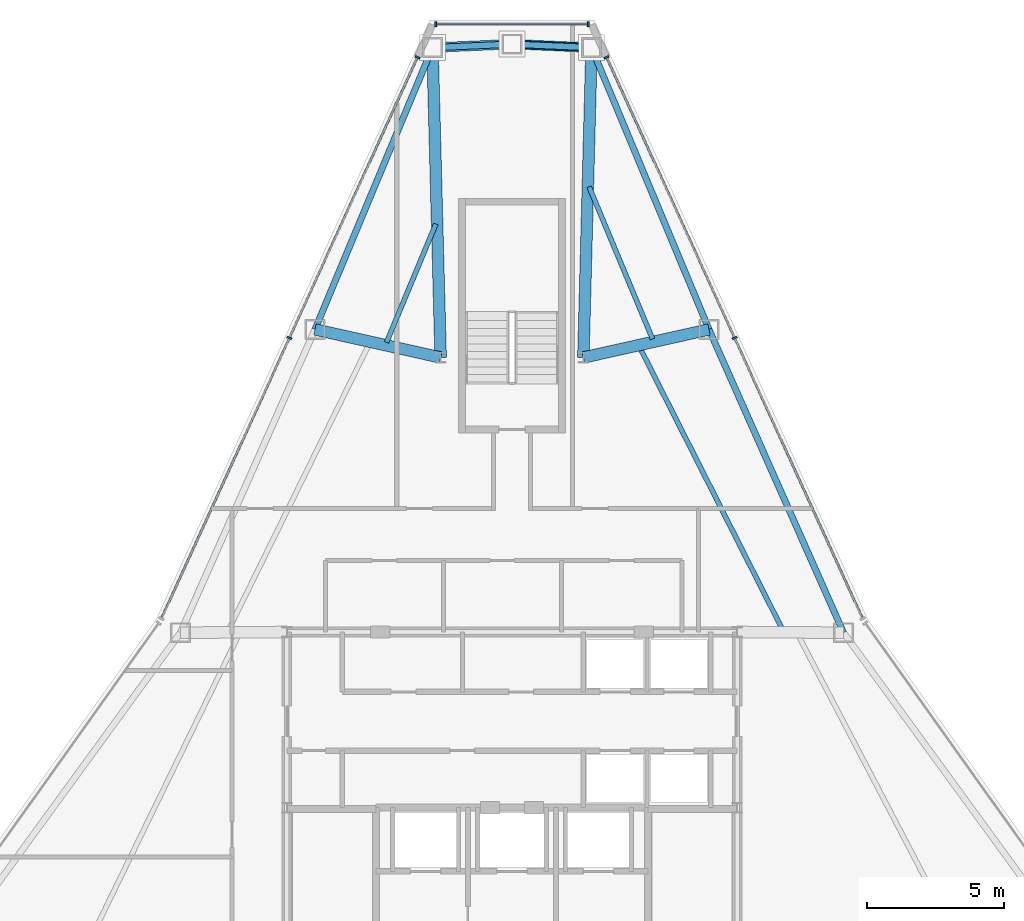
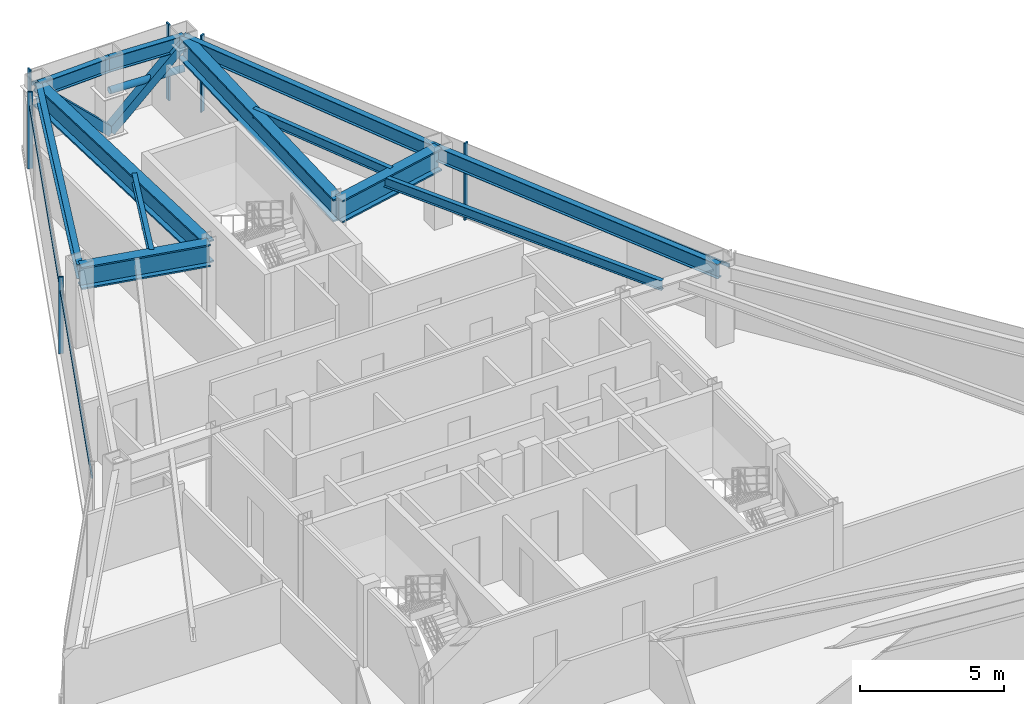
# One storey, part 7 of 12: 12 beams, 12 members, 3 elements without a shape of their own.
"""IFC4 building model written with IfcOpenShell, lengths in metres."""

from ifc_helpers import new_model, si_unit, direction, frame, origin, origin_2d, place, context, subcontext, project, spatial, rectangle, hollow_rectangle, hollow_circle, i_section, extrude, source, transform, mapped, material, layer, layer_set, material_profile, profile_set, type_object, type_shapes, element, aggregate, save


model = new_model("IFC4")

# Units and contexts
model_context = context("Model", 3, precision=1e-05, world=origin(), true_north=direction((0.0, 1.0)))
body_context = subcontext(model_context, "Body", "Model", "MODEL_VIEW")
ifc_project = project(units=[si_unit("LENGTHUNIT", "METRE"), si_unit("AREAUNIT", "SQUARE_METRE"), si_unit("VOLUMEUNIT", "CUBIC_METRE"), si_unit("PLANEANGLEUNIT", "RADIAN"), si_unit("MASSUNIT", "GRAM", prefix="KILO")], contexts=[model_context])

# Site, building, storey
site_placement = place(None, origin())
site = spatial("IfcSite", under=ifc_project, at=site_placement, CompositionType="ELEMENT")
building_placement = place(site_placement, origin())
building = spatial("IfcBuilding", under=site, at=building_placement, Name="Varakhsha Concourse Tower", CompositionType="ELEMENT")
storey_placement = place(building_placement, frame((0.0, 0.0, 243.39990234375)))
storey = spatial("IfcBuildingStorey", under=building, at=storey_placement, Name="L69", CompositionType="ELEMENT", Elevation=243.39990234375)

# Beams
ifc_material_1 = material(Name="Structural Steel ASTM A992 Grade 50", Category="steel")
ifc_material_profile_1 = material_profile(ifc_material_1, i_section(OverallWidth=0.177978515625, OverallDepth=0.406982421875, WebThickness=0.008056640625, FlangeThickness=0.012939453125, at=origin_2d()), Name="W16X40")
ifc_profile_set_1 = profile_set([ifc_material_profile_1], Name="Structural Steel ASTM A992 Grade 50")
beam_type_1 = type_object("IfcBeamType", Name="BM-JST-W16X40", PredefinedType="JOIST", material=ifc_profile_set_1)
beam_1_placement = place(storey_placement, frame((37.22705078125, 46.066162109375, 3.046630859375), z_axis=(-0.384778558787, -0.923008916911, 0.0), x_axis=(0.923008916911, -0.384778558787, 0.0)))
element("IfcBeam", 1, at=beam_1_placement, inside=storey, type_object=beam_type_1, Name="BM-TJST-L69-03", PredefinedType="JOIST", context=body_context, shape_type="SweptSolid", body=[
    extrude(i_section(OverallWidth=0.177978515625, OverallDepth=0.406982421875, WebThickness=0.008056640625, FlangeThickness=0.012939453125, at=origin_2d()), origin(), (0.0, 0.0, 1.0), 4.67431640625),
])
beam_2_placement = place(storey_placement, frame((49.857177734375, 31.28662109375, 3.046630859375), z_axis=(-0.451444386445, 0.892299258067, 0.0), x_axis=(-0.892299258067, -0.451444386445, 0.0)))
element("IfcBeam", 2, at=beam_2_placement, inside=storey, type_object=beam_type_1, Name="BM-TJST-L69-17", PredefinedType="JOIST", context=body_context, shape_type="SweptSolid", body=[
    extrude(i_section(OverallWidth=0.177978515625, OverallDepth=0.406982421875, WebThickness=0.008056640625, FlangeThickness=0.012939453125, at=origin_2d()), origin(), (0.0, 0.0, 1.0), 11.50439453125),
])
beam_3_placement = place(storey_placement, frame((45.120849609375, 41.87451171875, 3.046630859375), z_axis=(-0.384779810323, 0.923008395177, 0.0), x_axis=(-0.923008395177, -0.384779810323, 0.0)))
element("IfcBeam", 3, at=beam_3_placement, inside=storey, type_object=beam_type_1, Name="BM-TJST-L69-18", PredefinedType="JOIST", context=body_context, shape_type="SweptSolid", body=[
    extrude(i_section(OverallWidth=0.177978515625, OverallDepth=0.406982421875, WebThickness=0.008056640625, FlangeThickness=0.012939453125, at=origin_2d()), origin(), (0.0, 0.0, 1.0), 6.00927734375),
])
ifc_material_profile_2 = material_profile(ifc_material_1, i_section(OverallWidth=0.423095703125, OverallDepth=0.947998046875, WebThickness=0.0380859375, FlangeThickness=0.06396484375, at=origin_2d()), Name="W36X302")
ifc_profile_set_2 = profile_set([ifc_material_profile_2], Name="Structural Steel ASTM A992 Grade 50")
beam_type_2 = type_object("IfcBeamType", Name="BM-OUTR-W36X302", PredefinedType="USERDEFINED", material=ifc_profile_set_2)
for number, where, z_axis, x_axis, name in (
    (4, (42.60009765625, 41.199951171875, 2.776123046875), (0.026285081021, 0.999654487568, 0.0), (-0.999654487568, 0.026285081021, 0.0), "L69 Radial Floor Girder 01"),
    (5, (37.39990234375, 41.199951171875, 2.776123046875), (-0.026285081021, 0.999654487568, 0.0), (-0.999654487568, -0.026285081021, 0.0), "L69 Radial Floor Girder 03"),
):
    element("IfcBeam", number, at=place(storey_placement, frame(where, z_axis=z_axis, x_axis=x_axis)), inside=storey, type_object=beam_type_2, Name=name, ObjectType="GIRDER", PredefinedType="USERDEFINED", context=body_context, shape_type="SweptSolid", body=[
        extrude(i_section(OverallWidth=0.423095703125, OverallDepth=0.947998046875, WebThickness=0.0380859375, FlangeThickness=0.06396484375, at=origin_2d()), origin(), (0.0, 0.0, 1.0), 11.29443359375),
    ])
for number, where, z_axis, x_axis, name in (
    (6, (37.39990234375, 41.199951171875, 2.776123046875), (-0.975913154691, 0.21815937867, 0.0), (-0.21815937867, -0.975913154691, 0.0), "L69 Radial Floor Girder 04"),
    (7, (42.60009765625, 41.199951171875, 2.776123046875), (0.975913154691, 0.21815937867, 0.0), (-0.21815937867, 0.975913154691, 0.0), "L69 Radial Floor Girder 18"),
):
    element("IfcBeam", number, at=place(storey_placement, frame(where, z_axis=z_axis, x_axis=x_axis)), inside=storey, type_object=beam_type_2, Name=name, ObjectType="GIRDER", PredefinedType="USERDEFINED", context=body_context, shape_type="SweptSolid", body=[
        extrude(i_section(OverallWidth=0.423095703125, OverallDepth=0.947998046875, WebThickness=0.0380859375, FlangeThickness=0.06396484375, at=origin_2d()), origin(), (0.0, 0.0, 1.0), 4.690185546875),
    ])
ifc_material_profile_3 = material_profile(ifc_material_1, i_section(OverallWidth=0.22900390625, OverallDepth=0.612060546875, WebThickness=0.011962890625, FlangeThickness=0.02001953125, at=origin_2d()), Name="W24X84")
ifc_profile_set_3 = profile_set([ifc_material_profile_3], Name="Structural Steel ASTM A992 Grade 50")
beam_type_3 = type_object("IfcBeamType", Name="BM-SPAN-W24X84", PredefinedType="SPANDREL", material=ifc_profile_set_3)
for number, where, z_axis, x_axis, name in (
    (8, (42.89697265625, 52.490478515625, 2.944091796875), (-0.99904484587, 0.043696635345, 0.0), (-0.043696635345, -0.99904484587, 0.0), "BM-SPAN-L69-01"),
    (9, (40.0, 52.6171875, 2.944091796875), (-0.99904484587, -0.043696635345, 0.0), (0.043696635345, -0.99904484587, 0.0), "BM-SPAN-L69-02"),
):
    element("IfcBeam", number, at=place(storey_placement, frame(where, z_axis=z_axis, x_axis=x_axis)), inside=storey, type_object=beam_type_3, Name=name, PredefinedType="SPANDREL", context=body_context, shape_type="SweptSolid", body=[
        extrude(i_section(OverallWidth=0.22900390625, OverallDepth=0.612060546875, WebThickness=0.011962890625, FlangeThickness=0.02001953125, at=origin_2d()), origin(), (0.0, 0.0, 1.0), 2.899658203125),
    ])
beam_4_placement = place(storey_placement, frame((37.10302734375, 52.490478515625, 2.944091796875), z_axis=(-0.3847852447, -0.923006129698, 0.0), x_axis=(0.923006129698, -0.3847852447, 0.0)))
element("IfcBeam", 10, at=beam_4_placement, inside=storey, type_object=beam_type_3, Name="BM-SPAN-L69-03", PredefinedType="SPANDREL", context=body_context, shape_type="SweptSolid", body=[
    extrude(i_section(OverallWidth=0.22900390625, OverallDepth=0.612060546875, WebThickness=0.011962890625, FlangeThickness=0.02001953125, at=origin_2d()), origin(), (0.0, 0.0, 1.0), 11.123779296875),
])
beam_5_placement = place(storey_placement, frame((52.0791015625, 31.173828125, 2.944091796875), z_axis=(-0.405519963053, 0.914086188259, 0.0), x_axis=(-0.914086188259, -0.405519963053, 0.0)))
element("IfcBeam", 11, at=beam_5_placement, inside=storey, type_object=beam_type_3, Name="BM-SPAN-L69-17", PredefinedType="SPANDREL", context=body_context, shape_type="SweptSolid", body=[
    extrude(i_section(OverallWidth=0.22900390625, OverallDepth=0.612060546875, WebThickness=0.011962890625, FlangeThickness=0.02001953125, at=origin_2d()), origin(), (0.0, 0.0, 1.0), 12.087890625),
])
beam_6_placement = place(storey_placement, frame((47.17724609375, 42.22314453125, 2.944091796875), z_axis=(-0.3847852447, 0.923006129698, 0.0), x_axis=(-0.923006129698, -0.3847852447, 0.0)))
element("IfcBeam", 12, at=beam_6_placement, inside=storey, type_object=beam_type_3, Name="BM-SPAN-L69-18", PredefinedType="SPANDREL", context=body_context, shape_type="SweptSolid", body=[
    extrude(i_section(OverallWidth=0.22900390625, OverallDepth=0.612060546875, WebThickness=0.011962890625, FlangeThickness=0.02001953125, at=origin_2d()), origin(), (0.0, 0.0, 1.0), 11.123779296875),
])

# Members
ifc_material_2 = material(Name="Structural Steel ASTM A500 Grade C", Category="steel")
ifc_material_profile_4 = material_profile(ifc_material_2, hollow_rectangle(XDim=0.35009765625, YDim=0.35009765625, WallThickness=0.01611328125, at=origin_2d()), Name="HSS 350x350x16")
ifc_profile_set_4 = profile_set([ifc_material_profile_4], Name="Structural Steel ASTM A500 Grade C")
member_type_1 = type_object("IfcMemberType", Name="MB-TUBE-HSS350", PredefinedType="BRACE", material=ifc_profile_set_4)
shared_shape_1 = source(origin(), body_context, "Body", "SweptSolid", [
    extrude(hollow_rectangle(XDim=0.35009765625, YDim=0.35009765625, WallThickness=0.01611328125, at=origin_2d()), origin(), (0.0, 0.0, 1.0), 4.052001953125),
])
type_shapes(member_type_1, [shared_shape_1])
for number, where, z_axis, x_axis, name in (
    (13, (40.0, 52.6171875, 0.1201171875), (0.71496746867, -0.031271541905, 0.698458022655), (0.043696635345, 0.99904484587, 0.0), "L69 Wind-Corner Tube Brace B01"),
    (14, (40.0, 52.6171875, 0.1201171875), (-0.71496746867, -0.031271541905, 0.698458022655), (0.043696635345, -0.99904484587, 0.0), "L69 Wind-Corner Tube Brace B02"),
):
    element("IfcMember", number, at=place(storey_placement, frame(where, z_axis=z_axis, x_axis=x_axis)), inside=storey, type_object=member_type_1, Name=name, PredefinedType="BRACE", context=body_context, shape_type="MappedRepresentation", body=[
        mapped(shared_shape_1, transform((0.0, 0.0, 0.0), scale=1.0)),
    ])
ifc_material_profile_5 = material_profile(ifc_material_2, hollow_circle(Radius=0.136474609375, WallThickness=0.011962890625, at=origin_2d()), Name="CHS 273x12")
ifc_profile_set_5 = profile_set([ifc_material_profile_5], Name="Structural Steel ASTM A500 Grade C")
member_type_2 = type_object("IfcMemberType", Name="MB-WIND-CHS273", PredefinedType="COLLAR", material=ifc_profile_set_5)
shared_shape_2 = source(origin(), body_context, "Body", "SweptSolid", [
    extrude(hollow_circle(Radius=0.136474609375, WallThickness=0.011962890625, at=origin_2d()), origin(), (0.0, 0.0, 1.0), 2.899658203125),
])
type_shapes(member_type_2, [shared_shape_2])
member_1_placement = place(storey_placement, frame((42.89697265625, 52.490478515625, 1.800048828125), z_axis=(-0.99904484587, 0.043696635345, 0.0), x_axis=(-0.043696635345, -0.99904484587, 0.0)))
element("IfcMember", 15, at=member_1_placement, inside=storey, type_object=member_type_2, Name="L69 Wind-Corner Collar Tie 1", PredefinedType="COLLAR", context=body_context, shape_type="MappedRepresentation", body=[
    mapped(shared_shape_2, transform((0.0, 0.0, 0.0), scale=1.0)),
])

# Curtain wall, members
ifc_material_3 = material(Name="Anodised Bronze Architectural Aluminium AA 6063-T6", Category="aluminium")
ifc_layer = layer(ifc_material_3, 0.199951171875, Name="CW-SYS-05")
ifc_layer_set = layer_set([ifc_layer], Name="Anodised Bronze Architectural Aluminium AA 6063-T6")
curtain_wall_type = type_object("IfcCurtainWallType", Name="CW-SYS-05", PredefinedType="NOTDEFINED", material=ifc_layer_set)
curtain_wall_1_placement = place(storey_placement, origin())
curtain_wall_1 = element("IfcCurtainWall", 16, at=curtain_wall_1_placement, inside=storey, type_object=curtain_wall_type, Name="L69 Chamfer Curtain Wall F1", PredefinedType="NOTDEFINED")
ifc_material_profile_6 = material_profile(ifc_material_3, rectangle(XDim=0.06494140625, YDim=0.179931640625, at=origin_2d()), Name="CWM-180X65")
ifc_profile_set_6 = profile_set([ifc_material_profile_6], Name="Anodised Bronze Architectural Aluminium AA 6063-T6")
member_type_3 = type_object("IfcMemberType", Name="CWM-180X65", PredefinedType="MULLION", material=ifc_profile_set_6)
shared_shape_3 = source(origin(), body_context, "Body", "SweptSolid", [
    extrude(rectangle(XDim=0.06494140625, YDim=0.179931640625, at=origin_2d()), origin(), (0.0, 0.0, 1.0), 3.25),
])
type_shapes(member_type_3, [shared_shape_3])
member_2_placement = place(storey_placement, frame((37.219970703125, 53.337158203125, 0.0), z_axis=(0.0, 0.0, 1.0), x_axis=(1.0, 0.0, 0.0)))
member_2 = element("IfcMember", 17, at=member_2_placement, type_object=member_type_3, Name="CW-L69-F1 Mullion 00", PredefinedType="MULLION", context=body_context, shape_type="MappedRepresentation", body=[
    mapped(shared_shape_3, transform((0.0, 0.0, 0.0), scale=1.0)),
])
member_3_placement = place(storey_placement, frame((42.780029296875, 53.337158203125, 0.0), z_axis=(0.0, 0.0, 1.0), x_axis=(1.0, 0.0, 0.0)))
member_3 = element("IfcMember", 18, at=member_3_placement, type_object=member_type_3, Name="CW-L69-F1 Mullion 01", PredefinedType="MULLION", context=body_context, shape_type="MappedRepresentation", body=[
    mapped(shared_shape_3, transform((0.0, 0.0, 0.0), scale=1.0)),
])

curtain_wall_2_placement = place(storey_placement, origin())
curtain_wall_2 = element("IfcCurtainWall", 19, at=curtain_wall_2_placement, inside=storey, type_object=curtain_wall_type, Name="L69 Crystal Curtain Wall F2", PredefinedType="NOTDEFINED")
member_4_placement = place(storey_placement, frame((31.8896484375, 41.91259765625, 0.0), z_axis=(0.0, 0.0, 1.0), x_axis=(0.415133120597, 0.909760678521, 0.0)))
member_4 = element("IfcMember", 20, at=member_4_placement, type_object=member_type_3, Name="CW-L69-F2 Mullion 01", PredefinedType="MULLION", context=body_context, shape_type="MappedRepresentation", body=[
    mapped(shared_shape_3, transform((0.0, 0.0, 0.0), scale=1.0)),
])
member_5_placement = place(storey_placement, frame((36.555908203125, 52.138916015625, 0.0), z_axis=(0.0, 0.0, 1.0), x_axis=(0.415133120597, 0.909760678521, 0.0)))
member_5 = element("IfcMember", 21, at=member_5_placement, type_object=member_type_3, Name="CW-L69-F2 Mullion 02", PredefinedType="MULLION", context=body_context, shape_type="MappedRepresentation", body=[
    mapped(shared_shape_3, transform((0.0, 0.0, 0.0), scale=1.0)),
])

curtain_wall_3_placement = place(storey_placement, origin())
curtain_wall_3 = element("IfcCurtainWall", 22, at=curtain_wall_3_placement, inside=storey, type_object=curtain_wall_type, Name="L69 Crystal Curtain Wall F9", PredefinedType="NOTDEFINED")
member_6_placement = place(storey_placement, frame((43.444091796875, 52.138916015625, 0.0), z_axis=(0.0, 0.0, 1.0), x_axis=(0.415133120597, -0.909760678521, 0.0)))
member_6 = element("IfcMember", 23, at=member_6_placement, type_object=member_type_3, Name="CW-L69-F9 Mullion 00", PredefinedType="MULLION", context=body_context, shape_type="MappedRepresentation", body=[
    mapped(shared_shape_3, transform((0.0, 0.0, 0.0), scale=1.0)),
])
member_7_placement = place(storey_placement, frame((48.1103515625, 41.91259765625, 0.0), z_axis=(0.0, 0.0, 1.0), x_axis=(0.415133120597, -0.909760678521, 0.0)))
member_7 = element("IfcMember", 24, at=member_7_placement, type_object=member_type_3, Name="CW-L69-F9 Mullion 01", PredefinedType="MULLION", context=body_context, shape_type="MappedRepresentation", body=[
    mapped(shared_shape_3, transform((0.0, 0.0, 0.0), scale=1.0)),
])

# Member
ifc_material_profile_7 = material_profile(ifc_material_3, rectangle(XDim=0.06005859375, YDim=0.139892578125, at=origin_2d()), Name="CWT-140X60")
ifc_profile_set_7 = profile_set([ifc_material_profile_7], Name="Anodised Bronze Architectural Aluminium AA 6063-T6")
member_type_4 = type_object("IfcMemberType", Name="CWT-140X60", PredefinedType="USERDEFINED", material=ifc_profile_set_7)
shared_shape_4 = source(origin(), body_context, "Body", "SweptSolid", [
    extrude(rectangle(XDim=0.06005859375, YDim=0.139892578125, at=origin_2d()), origin(), (0.0, 0.0, 1.0), 5.56005859375),
])
member_8_placement = place(storey_placement, frame((37.219970703125, 53.337158203125, 2.60009765625), z_axis=(1.0, 0.0, 0.0), x_axis=(0.0, 1.0, 0.0)))
member_8 = element("IfcMember", 25, at=member_8_placement, type_object=member_type_4, Name="CW-L69-F1 Transom 01", ObjectType="TRANSOM", PredefinedType="USERDEFINED", context=body_context, shape_type="MappedRepresentation", body=[
    mapped(shared_shape_4, transform((0.0, 0.0, 0.0), scale=1.0)),
])

aggregate(curtain_wall_1, [member_2, member_3, member_8])

shared_shape_5 = source(origin(), body_context, "Body", "SweptSolid", [
    extrude(rectangle(XDim=0.06005859375, YDim=0.139892578125, at=origin_2d()), origin(), (0.0, 0.0, 1.0), 22.481201171875),
])
type_shapes(member_type_4, [shared_shape_4, shared_shape_5])
member_9_placement = place(storey_placement, frame((27.223388671875, 31.686279296875, 2.60009765625), z_axis=(0.415124719338, 0.909764512055, 0.0), x_axis=(-0.909764512055, 0.415124719338, 0.0)))
member_9 = element("IfcMember", 26, at=member_9_placement, type_object=member_type_4, Name="CW-L69-F2 Transom 01", ObjectType="TRANSOM", PredefinedType="USERDEFINED", context=body_context, shape_type="MappedRepresentation", body=[
    mapped(shared_shape_5, transform((0.0, 0.0, 0.0), scale=1.0)),
])

aggregate(curtain_wall_2, [member_4, member_5, member_9])

member_10_placement = place(storey_placement, frame((43.444091796875, 52.138916015625, 2.60009765625), z_axis=(0.415124719338, -0.909764512055, 0.0), x_axis=(0.909764512055, 0.415124719338, 0.0)))
member_10 = element("IfcMember", 27, at=member_10_placement, type_object=member_type_4, Name="CW-L69-F9 Transom 01", ObjectType="TRANSOM", PredefinedType="USERDEFINED", context=body_context, shape_type="MappedRepresentation", body=[
    mapped(shared_shape_5, transform((0.0, 0.0, 0.0), scale=1.0)),
])

aggregate(curtain_wall_3, [member_6, member_7, member_10])

save(model, "model.ifc")
